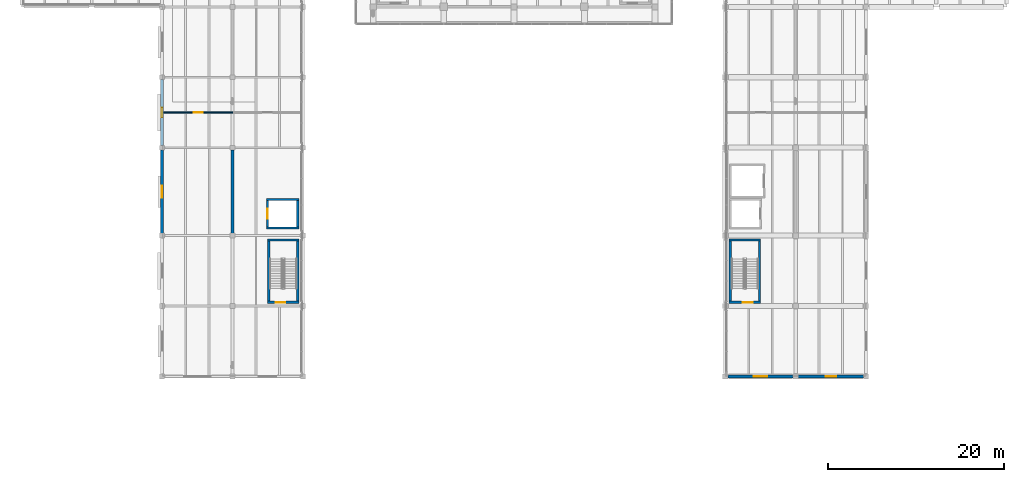
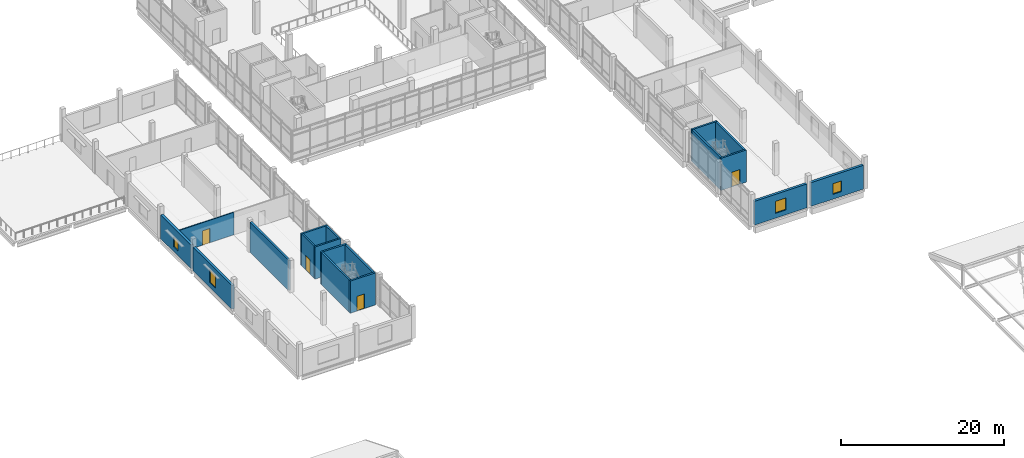
# One storey, part 33 of 47: 18 walls, 4 doors, 4 windows, 8 openings.
"""IFC4 building model written with IfcOpenShell, lengths in metres."""

from ifc_helpers import new_model, si_unit, direction, frame, frame_2d, origin, place, context, subcontext, project, spatial, rectangle, extrude, material, layer, layer_set, type_object, element, fill, save


model = new_model("IFC4")

# Units and contexts
model_context = context("Model", 3, precision=1e-05, world=origin(), true_north=direction((0.0, 1.0)))
body_context = subcontext(model_context, "Body", "Model", "MODEL_VIEW")
ifc_project = project(units=[si_unit("LENGTHUNIT", "METRE"), si_unit("AREAUNIT", "SQUARE_METRE"), si_unit("VOLUMEUNIT", "CUBIC_METRE"), si_unit("PLANEANGLEUNIT", "RADIAN"), si_unit("MASSUNIT", "GRAM", prefix="KILO")], contexts=[model_context])

# Site, building, storey
site_placement = place(None, origin())
site = spatial("IfcSite", under=ifc_project, at=site_placement, CompositionType="ELEMENT")
building_placement = place(site_placement, origin())
building = spatial("IfcBuilding", under=site, at=building_placement, Name="Pecanmere Concourse Central Library", CompositionType="ELEMENT")
storey_placement = place(building_placement, frame((0.0, 0.0, 15.300048828125)))
storey = spatial("IfcBuildingStorey", under=building, at=storey_placement, Name="L04", CompositionType="ELEMENT", Elevation=15.300048828125)

# Wall, opening, window
ifc_material_1 = material(Name="Texas cream limestone ashlar masonry", Category="masonry")
ifc_layer_1 = layer(ifc_material_1, 0.35009765625, Name="EW_LIME_350")
ifc_layer_set_1 = layer_set([ifc_layer_1], Name="Texas cream limestone ashlar masonry")
wall_type_1 = type_object("IfcWallType", Name="EW_LIME_350", PredefinedType="STANDARD", material=ifc_layer_set_1)
wall_1_placement = place(storey_placement, frame((48.0, 73.72998046875, 0.0), z_axis=(0.0, 0.0, 1.0), x_axis=(0.0, -1.0, 0.0)))
wall_1 = element("IfcWall", 1, at=wall_1_placement, inside=storey, type_object=wall_type_1, Name="Limestone Facade Wall L04-0182", PredefinedType="STANDARD", context=body_context, shape_type="SweptSolid", body=[
    extrude(rectangle(XDim=9.4599609375, YDim=0.35009765625, at=frame_2d((4.72998046875, 0.0))), origin(), (0.0, 0.0, 1.0), 3.56005859375),
])
opening_1_placement = place(wall_1_placement, frame((4.030029296875, 0.0, 0.719970703125)))
opening_1 = element("IfcOpeningElement", 2, at=opening_1_placement, cuts=wall_1, Name="Opening WN-10", PredefinedType="OPENING", context=body_context, shape_type="SweptSolid", body=[
    extrude(rectangle(XDim=1.39990234375, YDim=2.0, at=frame_2d((0.699951171875, 1.0))), frame((0.0, 0.18701171875, 0.0), z_axis=(0.0, -1.0, 0.0), x_axis=(1.0, 0.0, 0.0)), (0.0, 0.0, 1.0), 0.3740234375),
])
ifc_material_2 = material(Name="Low-iron clear insulated glazing", Category="glass")
window_type_1 = type_object("IfcWindowType", Name="WIN_1400x2000", PartitioningType="SINGLE_PANEL", PredefinedType="WINDOW", material=ifc_material_2)
window_1_placement = place(opening_1_placement, origin())
window_1 = element("IfcWindow", 3, at=window_1_placement, inside=storey, type_object=window_type_1, Name="WN-152", OverallHeight=2.0, OverallWidth=1.39990234375, PartitioningType="SINGLE_PANEL", PredefinedType="WINDOW", context=body_context, shape_type="SweptSolid", body=[
    extrude(rectangle(XDim=1.39990234375, YDim=2.0, at=frame_2d((0.699951171875, 1.0))), frame((0.0, 0.030029296875, 0.0), z_axis=(0.0, -1.0, 0.0), x_axis=(1.0, 0.0, 0.0)), (0.0, 0.0, 1.0), 0.06005859375),
])
fill(opening_1, window_1)

wall_2_placement = place(storey_placement, frame((48.0, 81.72998046875, 0.0), z_axis=(0.0, 0.0, 1.0), x_axis=(0.0, -1.0, 0.0)))
wall_2 = element("IfcWall", 4, at=wall_2_placement, inside=storey, type_object=wall_type_1, Name="Limestone Facade Wall L04-0184", PredefinedType="STANDARD", context=body_context, shape_type="SweptSolid", body=[
    extrude(rectangle(XDim=7.4599609375, YDim=0.35009765625, at=frame_2d((3.72998046875, 0.0))), origin(), (0.0, 0.0, 1.0), 3.56005859375),
])
opening_2_placement = place(wall_2_placement, frame((3.179931640625, 0.0, 0.719970703125)))
opening_2 = element("IfcOpeningElement", 5, at=opening_2_placement, cuts=wall_2, Name="Opening WN-14", PredefinedType="OPENING", context=body_context, shape_type="SweptSolid", body=[
    extrude(rectangle(XDim=1.10009765625, YDim=1.5, at=frame_2d((0.550048828125, 0.75))), frame((0.0, 0.18701171875, 0.0), z_axis=(0.0, -1.0, 0.0), x_axis=(1.0, 0.0, 0.0)), (0.0, 0.0, 1.0), 0.3740234375),
])
ifc_material_3 = material(Name="Low-iron clear insulated glazing", Category="glass")
window_type_2 = type_object("IfcWindowType", Name="WIN_1100x1500", PartitioningType="SINGLE_PANEL", PredefinedType="WINDOW", material=ifc_material_3)
window_2_placement = place(opening_2_placement, origin())
window_2 = element("IfcWindow", 6, at=window_2_placement, inside=storey, type_object=window_type_2, Name="WN-154", OverallHeight=1.5, OverallWidth=1.10009765625, PartitioningType="SINGLE_PANEL", PredefinedType="WINDOW", context=body_context, shape_type="SweptSolid", body=[
    extrude(rectangle(XDim=1.10009765625, YDim=1.5, at=frame_2d((0.550048828125, 0.75))), frame((0.0, 0.030029296875, 0.0), z_axis=(0.0, -1.0, 0.0), x_axis=(1.0, 0.0, 0.0)), (0.0, 0.0, 1.0), 0.06005859375),
])
fill(opening_2, window_2)

wall_3_placement = place(storey_placement, frame((112.294921875, 48.0, 0.0), z_axis=(0.0, 0.0, 1.0), x_axis=(1.0, 0.0, 0.0)))
wall_3 = element("IfcWall", 7, at=wall_3_placement, inside=storey, type_object=wall_type_1, Name="Limestone Facade Wall L04-0191", PredefinedType="STANDARD", context=body_context, shape_type="SweptSolid", body=[
    extrude(rectangle(XDim=7.41015625, YDim=0.35009765625, at=frame_2d((3.705078125, 0.0))), origin(), (0.0, 0.0, 1.0), 3.56005859375),
])
opening_3_placement = place(wall_3_placement, frame((2.955078125, 0.0, 0.719970703125)))
opening_3 = element("IfcOpeningElement", 8, at=opening_3_placement, cuts=wall_3, Name="Opening WN-09", PredefinedType="OPENING", context=body_context, shape_type="SweptSolid", body=[
    extrude(rectangle(XDim=1.5, YDim=1.800048828125, at=frame_2d((0.75, 0.89990234375))), frame((0.0, 0.18701171875, 0.0), z_axis=(0.0, -1.0, 0.0), x_axis=(1.0, 0.0, 0.0)), (0.0, 0.0, 1.0), 0.3740234375),
])
ifc_material_4 = material(Name="Low-iron clear insulated glazing", Category="glass")
window_type_3 = type_object("IfcWindowType", Name="WIN_1500x1800", PartitioningType="SINGLE_PANEL", PredefinedType="WINDOW", material=ifc_material_4)
window_3_placement = place(opening_3_placement, origin())
window_3 = element("IfcWindow", 9, at=window_3_placement, inside=storey, type_object=window_type_3, Name="WN-160", OverallHeight=1.800048828125, OverallWidth=1.5, PartitioningType="SINGLE_PANEL", PredefinedType="WINDOW", context=body_context, shape_type="SweptSolid", body=[
    extrude(rectangle(XDim=1.5, YDim=1.800048828125, at=frame_2d((0.75, 0.89990234375))), frame((0.0, 0.030029296875, 0.0), z_axis=(0.0, -1.0, 0.0), x_axis=(1.0, 0.0, 0.0)), (0.0, 0.0, 1.0), 0.06005859375),
])
fill(opening_3, window_3)

wall_4_placement = place(storey_placement, frame((120.294921875, 48.0, 0.0), z_axis=(0.0, 0.0, 1.0), x_axis=(1.0, 0.0, 0.0)))
wall_4 = element("IfcWall", 10, at=wall_4_placement, inside=storey, type_object=wall_type_1, Name="Limestone Facade Wall L04-0193", PredefinedType="STANDARD", context=body_context, shape_type="SweptSolid", body=[
    extrude(rectangle(XDim=7.41015625, YDim=0.35009765625, at=frame_2d((3.705078125, 0.0))), origin(), (0.0, 0.0, 1.0), 3.56005859375),
])
opening_4_placement = place(wall_4_placement, frame((3.10498046875, 0.0, 0.719970703125)))
opening_4 = element("IfcOpeningElement", 11, at=opening_4_placement, cuts=wall_4, Name="Opening WN-13", PredefinedType="OPENING", context=body_context, shape_type="SweptSolid", body=[
    extrude(rectangle(XDim=1.199951171875, YDim=1.60009765625, at=frame_2d((0.60009765625, 0.800048828125))), frame((0.0, 0.18701171875, 0.0), z_axis=(0.0, -1.0, 0.0), x_axis=(1.0, 0.0, 0.0)), (0.0, 0.0, 1.0), 0.3740234375),
])
ifc_material_5 = material(Name="Low-iron clear insulated glazing", Category="glass")
window_type_4 = type_object("IfcWindowType", Name="WIN_1200x1600", PartitioningType="SINGLE_PANEL", PredefinedType="WINDOW", material=ifc_material_5)
window_4_placement = place(opening_4_placement, origin())
window_4 = element("IfcWindow", 12, at=window_4_placement, inside=storey, type_object=window_type_4, Name="WN-162", OverallHeight=1.60009765625, OverallWidth=1.199951171875, PartitioningType="SINGLE_PANEL", PredefinedType="WINDOW", context=body_context, shape_type="SweptSolid", body=[
    extrude(rectangle(XDim=1.199951171875, YDim=1.60009765625, at=frame_2d((0.60009765625, 0.800048828125))), frame((0.0, 0.030029296875, 0.0), z_axis=(0.0, -1.0, 0.0), x_axis=(1.0, 0.0, 0.0)), (0.0, 0.0, 1.0), 0.06005859375),
])
fill(opening_4, window_4)

# Wall, opening, door
ifc_material_6 = material(Name="Fire-rated gypsum board on acoustic steel stud", Category="steel")
ifc_layer_2 = layer(ifc_material_6, 0.135009765625, Name="IW_PART_135")
ifc_layer_set_2 = layer_set([ifc_layer_2], Name="Fire-rated gypsum board on acoustic steel stud")
wall_type_2 = type_object("IfcWallType", Name="IW_PART_135", PredefinedType="PARTITIONING", material=ifc_layer_set_2)
wall_5_placement = place(storey_placement, frame((48.18505859375, 78.0, 0.0), z_axis=(0.0, 0.0, 1.0), x_axis=(1.0, 0.0, 0.0)))
wall_5 = element("IfcWall", 13, at=wall_5_placement, inside=storey, type_object=wall_type_2, Name="Interior Partition L04-0194", PredefinedType="PARTITIONING", context=body_context, shape_type="SweptSolid", body=[
    extrude(rectangle(XDim=7.81494140625, YDim=0.135009765625, at=frame_2d((3.907470703125, 0.0))), origin(), (0.0, 0.0, 1.0), 3.369873046875),
])
opening_5_placement = place(wall_5_placement, frame((3.407470703125, 0.0, 0.0)))
opening_5 = element("IfcOpeningElement", 14, at=opening_5_placement, cuts=wall_5, Name="Opening DT-04", PredefinedType="OPENING", context=body_context, shape_type="SweptSolid", body=[
    extrude(rectangle(XDim=1.0, YDim=2.14990234375, at=frame_2d((0.5, 1.074951171875))), frame((0.0, 0.07958984375, 0.0), z_axis=(0.0, -1.0, 0.0), x_axis=(1.0, 0.0, 0.0)), (0.0, 0.0, 1.0), 0.158935546875),
])
ifc_material_7 = material(Name="Solid white oak architectural joinery")
door_type_1 = type_object("IfcDoorType", Name="DT-04", OperationType="SINGLE_SWING_RIGHT", PredefinedType="DOOR", material=ifc_material_7)
door_1_placement = place(opening_5_placement, origin())
door_1 = element("IfcDoor", 15, at=door_1_placement, inside=storey, type_object=door_type_1, Name="D-218", OperationType="SINGLE_SWING_RIGHT", OverallHeight=2.14990234375, OverallWidth=1.0, PredefinedType="DOOR", context=body_context, shape_type="SweptSolid", body=[
    extrude(rectangle(XDim=1.0, YDim=2.14990234375, at=frame_2d((0.5, 1.074951171875))), frame((0.0, 0.02490234375, 0.0), z_axis=(0.0, -1.0, 0.0), x_axis=(1.0, 0.0, 0.0)), (0.0, 0.0, 1.0), 0.050048828125),
])
fill(opening_5, door_1)

# Walls
ifc_material_8 = material(Name="Concrete C40/50", Category="concrete")
ifc_layer_3 = layer(ifc_material_8, 0.2900390625, Name="WALL_SHR_290")
ifc_layer_set_3 = layer_set([ifc_layer_3], Name="Concrete C40/50")
wall_type_3 = type_object("IfcWallType", Name="WALL_SHR_290", PredefinedType="SHEAR", material=ifc_layer_set_3)
wall_6_placement = place(storey_placement, frame((56.0, 64.27490234375, 0.0), z_axis=(0.0, 0.0, 1.0), x_axis=(0.0, 1.0, 0.0)))
element("IfcWall", 16, at=wall_6_placement, inside=storey, type_object=wall_type_3, Name="Lateral Shear Wall L04-017", PredefinedType="SHEAR", context=body_context, shape_type="SweptSolid", body=[
    extrude(rectangle(XDim=9.4501953125, YDim=0.2900390625, at=frame_2d((4.72509765625, 0.0))), origin(), (0.0, 0.0, 1.0), 4.52001953125),
])
ifc_material_9 = material(Name="Concrete C40/50", Category="concrete")
ifc_layer_4 = layer(ifc_material_9, 0.239990234375, Name="WALL_SLD_240")
ifc_layer_set_4 = layer_set([ifc_layer_4], Name="Concrete C40/50")
wall_type_4 = type_object("IfcWallType", Name="WALL_SLD_240", PredefinedType="SOLIDWALL", material=ifc_layer_set_4)
for number, where, z_axis, x_axis, name in (
    (17, (59.860107421875, 64.8798828125, 0.0), (0.0, 0.0, 1.0), (1.0, 0.0, 0.0), "Hoistway Wall LP-04 L04-S"),
    (18, (59.860107421875, 68.1201171875, 0.0), (0.0, 0.0, 1.0), (1.0, 0.0, 0.0), "Hoistway Wall LP-04 L04-N"),
):
    element("IfcWall", number, at=place(storey_placement, frame(where, z_axis=z_axis, x_axis=x_axis)), inside=storey, type_object=wall_type_4, Name=name, PredefinedType="SOLIDWALL", context=body_context, shape_type="SweptSolid", body=[
        extrude(rectangle(XDim=3.679931640625, YDim=0.239990234375, at=frame_2d((1.83984375, 0.0))), origin(), (0.0, 0.0, 1.0), 4.800048828125),
    ])

# Wall, opening, door
wall_7_placement = place(storey_placement, frame((59.97998046875, 65.0, 0.0), z_axis=(0.0, 0.0, 1.0), x_axis=(0.0, 1.0, 0.0)))
wall_7 = element("IfcWall", 19, at=wall_7_placement, inside=storey, type_object=wall_type_4, Name="Hoistway Wall LP-04 L04-W", PredefinedType="SOLIDWALL", context=body_context, shape_type="SweptSolid", body=[
    extrude(rectangle(XDim=3.0, YDim=0.239990234375, at=frame_2d((1.5, 0.0))), origin(), (0.0, 0.0, 1.0), 4.800048828125),
])
opening_6_placement = place(wall_7_placement, frame((0.949951171875, 0.0, 0.0)))
opening_6 = element("IfcOpeningElement", 20, at=opening_6_placement, cuts=wall_7, Name="Opening LD-01", PredefinedType="OPENING", context=body_context, shape_type="SweptSolid", body=[
    extrude(rectangle(XDim=1.10009765625, YDim=2.199951171875, at=frame_2d((0.550048828125, 1.10009765625))), frame((0.0, 0.1318359375, 0.0), z_axis=(0.0, -1.0, 0.0), x_axis=(1.0, 0.0, 0.0)), (0.0, 0.0, 1.0), 0.263916015625),
])
ifc_material_10 = material(Name="Brushed stainless steel Grade 316", Category="steel")
door_type_2 = type_object("IfcDoorType", Name="LD-01", OperationType="DOUBLE_DOOR_SLIDING", PredefinedType="DOOR", material=ifc_material_10)
door_2_placement = place(opening_6_placement, origin())
door_2 = element("IfcDoor", 21, at=door_2_placement, inside=storey, type_object=door_type_2, Name="LD-LP-04-L04", OperationType="DOUBLE_DOOR_SLIDING", OverallHeight=2.199951171875, OverallWidth=1.10009765625, PredefinedType="DOOR", context=body_context, shape_type="SweptSolid", body=[
    extrude(rectangle(XDim=1.10009765625, YDim=2.199951171875, at=frame_2d((0.550048828125, 1.10009765625))), frame((0.0, 0.02490234375, 0.0), z_axis=(0.0, -1.0, 0.0), x_axis=(1.0, 0.0, 0.0)), (0.0, 0.0, 1.0), 0.050048828125),
])
fill(opening_6, door_2)

# Wall
wall_8_placement = place(storey_placement, frame((63.419921875, 65.0, 0.0), z_axis=(0.0, 0.0, 1.0), x_axis=(0.0, 1.0, 0.0)))
element("IfcWall", 22, at=wall_8_placement, inside=storey, type_object=wall_type_4, Name="Hoistway Wall LP-04 L04-E", PredefinedType="SOLIDWALL", context=body_context, shape_type="SweptSolid", body=[
    extrude(rectangle(XDim=3.0, YDim=0.239990234375, at=frame_2d((1.5, 0.0))), origin(), (0.0, 0.0, 1.0), 4.800048828125),
])

# Wall, opening, door
ifc_material_11 = material(Name="Concrete C40/50", Category="concrete")
ifc_layer_5 = layer(ifc_material_11, 0.260009765625, Name="WALL_SLD_260")
ifc_layer_set_5 = layer_set([ifc_layer_5], Name="Concrete C40/50")
wall_type_5 = type_object("IfcWallType", Name="WALL_SLD_260", PredefinedType="SOLIDWALL", material=ifc_layer_set_5)
wall_9_placement = place(storey_placement, frame((112.43994140625, 56.419921875, 0.0), z_axis=(0.0, 0.0, 1.0), x_axis=(1.0, 0.0, 0.0)))
wall_9 = element("IfcWall", 23, at=wall_9_placement, inside=storey, type_object=wall_type_5, Name="Core C5 South Wall L04", PredefinedType="SOLIDWALL", context=body_context, shape_type="SweptSolid", body=[
    extrude(rectangle(XDim=3.580078125, YDim=0.260009765625, at=frame_2d((1.7900390625, 0.0))), origin(), (0.0, 0.0, 1.0), 4.800048828125),
])
opening_7_placement = place(wall_9_placement, frame((1.56005859375, 0.0, 0.0)))
opening_7 = element("IfcOpeningElement", 24, at=opening_7_placement, cuts=wall_9, Name="Opening FD-02", PredefinedType="OPENING", context=body_context, shape_type="SweptSolid", body=[
    extrude(rectangle(XDim=1.10009765625, YDim=2.199951171875, at=frame_2d((0.550048828125, 1.10009765625))), frame((0.0, 0.14208984375, 0.0), z_axis=(0.0, -1.0, 0.0), x_axis=(1.0, 0.0, 0.0)), (0.0, 0.0, 1.0), 0.283935546875),
])
ifc_material_12 = material(Name="Painted architectural steel ASTM A36", Category="steel")
door_type_3 = type_object("IfcDoorType", Name="FD-02", OperationType="SINGLE_SWING_RIGHT", PredefinedType="DOOR", material=ifc_material_12)
door_3_placement = place(opening_7_placement, origin())
door_3 = element("IfcDoor", 25, at=door_3_placement, inside=storey, type_object=door_type_3, Name="D-037", OperationType="SINGLE_SWING_RIGHT", OverallHeight=2.199951171875, OverallWidth=1.10009765625, PredefinedType="DOOR", context=body_context, shape_type="SweptSolid", body=[
    extrude(rectangle(XDim=1.10009765625, YDim=2.199951171875, at=frame_2d((0.550048828125, 1.10009765625))), frame((0.0, 0.02490234375, 0.0), z_axis=(0.0, -1.0, 0.0), x_axis=(1.0, 0.0, 0.0)), (0.0, 0.0, 1.0), 0.050048828125),
])
fill(opening_7, door_3)

# Walls
wall_10_placement = place(storey_placement, frame((112.43994140625, 63.5, 0.0), z_axis=(0.0, 0.0, 1.0), x_axis=(1.0, 0.0, 0.0)))
element("IfcWall", 26, at=wall_10_placement, inside=storey, type_object=wall_type_5, Name="Core C5 North Wall L04", PredefinedType="SOLIDWALL", context=body_context, shape_type="SweptSolid", body=[
    extrude(rectangle(XDim=3.580078125, YDim=0.260009765625, at=frame_2d((1.7900390625, 0.0))), origin(), (0.0, 0.0, 1.0), 4.800048828125),
])
for number, where, z_axis, x_axis, name in (
    (27, (112.570068359375, 56.550048828125, 0.0), (0.0, 0.0, 1.0), (0.0, 1.0, 0.0), "Core C5 W Wall L04"),
    (28, (115.889892578125, 56.550048828125, 0.0), (0.0, 0.0, 1.0), (0.0, 1.0, 0.0), "Core C5 E Wall L04"),
):
    element("IfcWall", number, at=place(storey_placement, frame(where, z_axis=z_axis, x_axis=x_axis)), inside=storey, type_object=wall_type_5, Name=name, PredefinedType="SOLIDWALL", context=body_context, shape_type="SweptSolid", body=[
        extrude(rectangle(XDim=6.820068359375, YDim=0.260009765625, at=frame_2d((3.41015625, 0.0))), origin(), (0.0, 0.0, 1.0), 4.800048828125),
    ])

# Wall, opening, door
wall_11_placement = place(storey_placement, frame((59.97998046875, 56.419921875, 0.0), z_axis=(0.0, 0.0, 1.0), x_axis=(1.0, 0.0, 0.0)))
wall_11 = element("IfcWall", 29, at=wall_11_placement, inside=storey, type_object=wall_type_5, Name="Core C6 South Wall L04", PredefinedType="SOLIDWALL", context=body_context, shape_type="SweptSolid", body=[
    extrude(rectangle(XDim=3.580078125, YDim=0.260009765625, at=frame_2d((1.7900390625, 0.0))), origin(), (0.0, 0.0, 1.0), 4.800048828125),
])
opening_8_placement = place(wall_11_placement, frame((0.919921875, 0.0, 0.0)))
opening_8 = element("IfcOpeningElement", 30, at=opening_8_placement, cuts=wall_11, Name="Opening FD-01", PredefinedType="OPENING", context=body_context, shape_type="SweptSolid", body=[
    extrude(rectangle(XDim=1.10009765625, YDim=2.199951171875, at=frame_2d((0.550048828125, 1.10009765625))), frame((0.0, 0.14208984375, 0.0), z_axis=(0.0, -1.0, 0.0), x_axis=(1.0, 0.0, 0.0)), (0.0, 0.0, 1.0), 0.283935546875),
])
ifc_material_13 = material(Name="Painted architectural steel ASTM A36", Category="steel")
door_type_4 = type_object("IfcDoorType", Name="FD-01", OperationType="SINGLE_SWING_LEFT", PredefinedType="DOOR", material=ifc_material_13)
door_4_placement = place(opening_8_placement, origin())
door_4 = element("IfcDoor", 31, at=door_4_placement, inside=storey, type_object=door_type_4, Name="D-043", OperationType="SINGLE_SWING_LEFT", OverallHeight=2.199951171875, OverallWidth=1.10009765625, PredefinedType="DOOR", context=body_context, shape_type="SweptSolid", body=[
    extrude(rectangle(XDim=1.10009765625, YDim=2.199951171875, at=frame_2d((0.550048828125, 1.10009765625))), frame((0.0, 0.02490234375, 0.0), z_axis=(0.0, -1.0, 0.0), x_axis=(1.0, 0.0, 0.0)), (0.0, 0.0, 1.0), 0.050048828125),
])
fill(opening_8, door_4)

# Walls
wall_12_placement = place(storey_placement, frame((59.97998046875, 63.5, 0.0), z_axis=(0.0, 0.0, 1.0), x_axis=(1.0, 0.0, 0.0)))
element("IfcWall", 32, at=wall_12_placement, inside=storey, type_object=wall_type_5, Name="Core C6 North Wall L04", PredefinedType="SOLIDWALL", context=body_context, shape_type="SweptSolid", body=[
    extrude(rectangle(XDim=3.580078125, YDim=0.260009765625, at=frame_2d((1.7900390625, 0.0))), origin(), (0.0, 0.0, 1.0), 4.800048828125),
])
for number, where, z_axis, x_axis, name in (
    (33, (60.110107421875, 56.550048828125, 0.0), (0.0, 0.0, 1.0), (0.0, 1.0, 0.0), "Core C6 W Wall L04"),
    (34, (63.429931640625, 56.550048828125, 0.0), (0.0, 0.0, 1.0), (0.0, 1.0, 0.0), "Core C6 E Wall L04"),
):
    element("IfcWall", number, at=place(storey_placement, frame(where, z_axis=z_axis, x_axis=x_axis)), inside=storey, type_object=wall_type_5, Name=name, PredefinedType="SOLIDWALL", context=body_context, shape_type="SweptSolid", body=[
        extrude(rectangle(XDim=6.820068359375, YDim=0.260009765625, at=frame_2d((3.41015625, 0.0))), origin(), (0.0, 0.0, 1.0), 4.800048828125),
    ])

save(model, "model.ifc")
